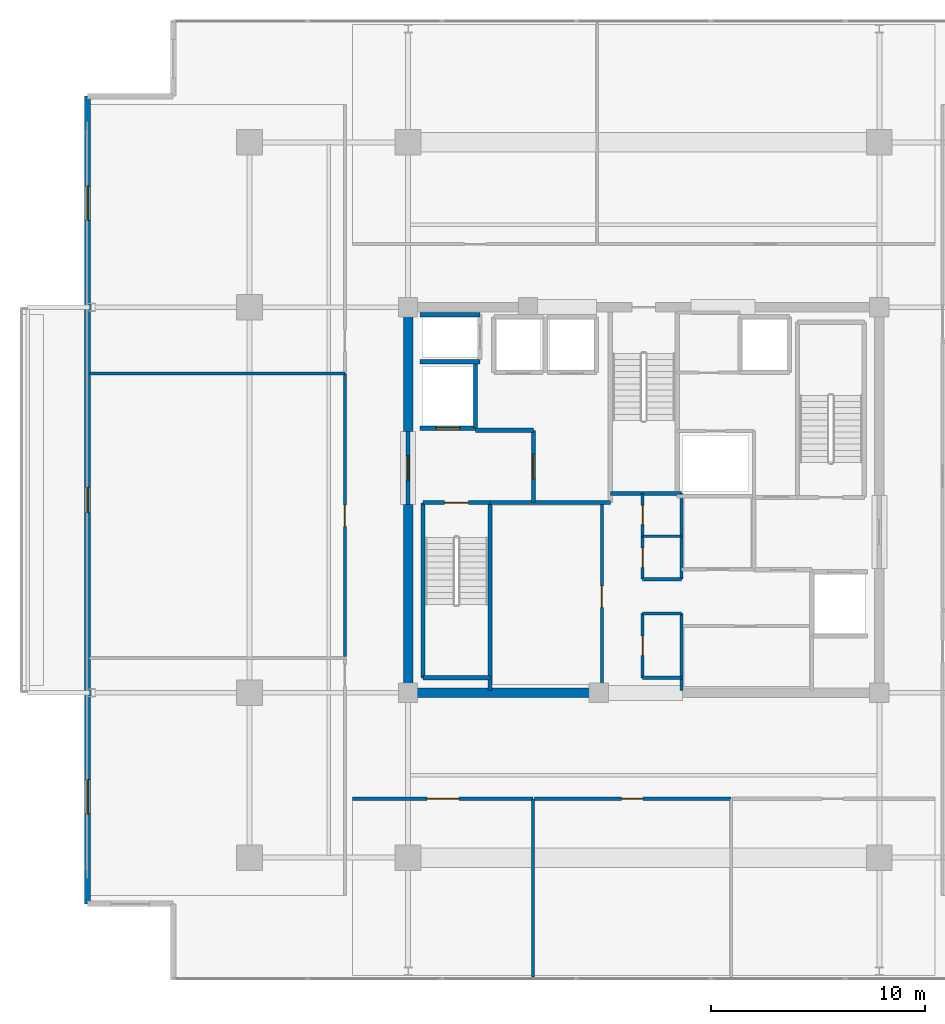
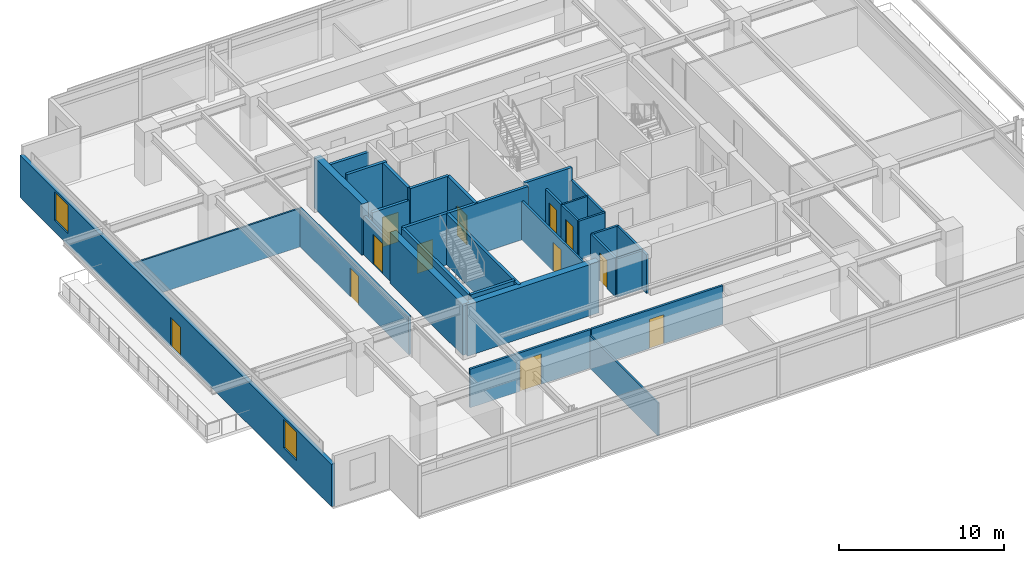
# One storey, part 14 of 21: 32 walls, 12 doors, 2 windows, 14 openings.
"""IFC4 building model written with IfcOpenShell, lengths in metres."""

from ifc_helpers import new_model, si_unit, direction, frame, frame_2d, origin, place, context, subcontext, project, spatial, rectangle, extrude, material, layer, layer_set, type_object, element, fill, save


model = new_model("IFC4")

# Units and contexts
model_context = context("Model", 3, precision=1e-05, world=origin(), true_north=direction((0.0, 1.0)))
body_context = subcontext(model_context, "Body", "Model", "MODEL_VIEW")
ifc_project = project(units=[si_unit("LENGTHUNIT", "METRE"), si_unit("AREAUNIT", "SQUARE_METRE"), si_unit("VOLUMEUNIT", "CUBIC_METRE"), si_unit("PLANEANGLEUNIT", "RADIAN"), si_unit("MASSUNIT", "GRAM", prefix="KILO")], contexts=[model_context])

# Site, building, storey
site_placement = place(None, origin())
site = spatial("IfcSite", under=ifc_project, at=site_placement, CompositionType="ELEMENT")
building_placement = place(site_placement, origin())
building = spatial("IfcBuilding", under=site, at=building_placement, Name="Kovane Verandah Tower", CompositionType="ELEMENT")
storey_placement = place(building_placement, frame((0.0, 0.0, 275.199951171875)))
storey = spatial("IfcBuildingStorey", under=building, at=storey_placement, Name="L64", CompositionType="ELEMENT", Elevation=275.199951171875)

# Walls
ifc_material_1 = material(Name="Fire-Rated Gypsum Stud Partition", Category="gypsum")
ifc_layer_1 = layer(ifc_material_1, 0.14990234375)
ifc_layer_set_1 = layer_set([ifc_layer_1], Name="Fire-Rated Gypsum Stud Partition")
wall_type_1 = type_object("IfcWallType", Name="WL-COR-150", PredefinedType="PARTITIONING", material=ifc_layer_set_1)
for number, where, z_axis, x_axis, name in (
    (1, (39.949951171875, 19.199951171875, 0.0), (0.0, 0.0, 1.0), (1.0, 0.0, 0.0), "L64 Central Core Strip South Wall"),
    (2, (39.949951171875, 22.199951171875, 0.0), (0.0, 0.0, 1.0), (1.0, 0.0, 0.0), "L64 Core Cross-Passage South Wall"),
    (3, (39.949951171875, 23.800048828125, 0.0), (0.0, 0.0, 1.0), (1.0, 0.0, 0.0), "L64 Core Cross-Passage North Wall"),
):
    element("IfcWall", number, at=place(storey_placement, frame(where, z_axis=z_axis, x_axis=x_axis)), inside=storey, type_object=wall_type_1, Name=name, PredefinedType="PARTITIONING", context=body_context, shape_type="SweptSolid", body=[
        extrude(rectangle(XDim=1.81005859375, YDim=0.14990234375, at=frame_2d((0.905029296875, 0.0))), origin(), (0.0, 0.0, 1.0), 2.85009765625),
    ])
wall_1_placement = place(storey_placement, frame((41.760009765625, 18.60009765625, 0.0), z_axis=(0.0, 0.0, 1.0), x_axis=(0.0, 1.0, 0.0)))
element("IfcWall", 4, at=wall_1_placement, inside=storey, type_object=wall_type_1, Name="L64 Central Core Strip Lower East Wall", PredefinedType="PARTITIONING", context=body_context, shape_type="SweptSolid", body=[
    extrude(rectangle(XDim=3.599853515625, YDim=0.14990234375, at=frame_2d((1.7998046875, 0.0))), origin(), (0.0, 0.0, 1.0), 2.85009765625),
])
wall_2_placement = place(storey_placement, frame((41.760009765625, 23.800048828125, 0.0), z_axis=(0.0, 0.0, 1.0), x_axis=(0.0, 1.0, 0.0)))
element("IfcWall", 5, at=wall_2_placement, inside=storey, type_object=wall_type_1, Name="L64 Central Core Strip Upper East Wall", PredefinedType="PARTITIONING", context=body_context, shape_type="SweptSolid", body=[
    extrude(rectangle(XDim=4.0, YDim=0.14990234375, at=frame_2d((2.0, 0.0))), origin(), (0.0, 0.0, 1.0), 2.85009765625),
])

# Wall, opening, door
wall_3_placement = place(storey_placement, frame((39.949951171875, 19.199951171875, 0.0), z_axis=(0.0, 0.0, 1.0), x_axis=(0.0, 1.0, 0.0)))
wall_3 = element("IfcWall", 6, at=wall_3_placement, inside=storey, type_object=wall_type_1, Name="L64 Male Toilet Partition", PredefinedType="PARTITIONING", context=body_context, shape_type="SweptSolid", body=[
    extrude(rectangle(XDim=3.0, YDim=0.14990234375, at=frame_2d((1.5, 0.0))), origin(), (0.0, 0.0, 1.0), 2.85009765625),
])
opening_1_placement = place(wall_3_placement, frame((1.050048828125, 0.0, 0.0)))
opening_1 = element("IfcOpeningElement", 7, at=opening_1_placement, cuts=wall_3, Name="Opening DR-L64-026", PredefinedType="OPENING", context=body_context, shape_type="SweptSolid", body=[
    extrude(rectangle(XDim=0.89990234375, YDim=2.10009765625, at=frame_2d((0.449951171875, 1.050048828125))), frame((0.0, 0.074951171875, 0.0), z_axis=(0.0, -1.0, 0.0), x_axis=(1.0, 0.0, 0.0)), (0.0, 0.0, 1.0), 0.14990234375),
])
ifc_material_2 = material(Name="Moisture-Resistant Laminate Washroom Door", Category="wood")
door_type_1 = type_object("IfcDoorType", Name="DR-WC-900", OperationType="SINGLE_SWING_LEFT", PredefinedType="DOOR", material=ifc_material_2)
door_1_placement = place(opening_1_placement, origin())
door_1 = element("IfcDoor", 8, at=door_1_placement, inside=storey, type_object=door_type_1, Name="L64 Male Toilet Door", OperationType="SINGLE_SWING_RIGHT", OverallHeight=2.10009765625, OverallWidth=0.89990234375, PredefinedType="DOOR", context=body_context, shape_type="SweptSolid", body=[
    extrude(rectangle(XDim=0.89990234375, YDim=2.10009765625, at=frame_2d((0.449951171875, 1.050048828125))), frame((0.0, 0.02490234375, 0.0), z_axis=(0.0, -1.0, 0.0), x_axis=(1.0, 0.0, 0.0)), (0.0, 0.0, 1.0), 0.050048828125),
])
fill(opening_1, door_1)

wall_4_placement = place(storey_placement, frame((39.949951171875, 23.800048828125, 0.0), z_axis=(0.0, 0.0, 1.0), x_axis=(0.0, 1.0, 0.0)))
wall_4 = element("IfcWall", 9, at=wall_4_placement, inside=storey, type_object=wall_type_1, Name="L64 Female Toilet Partition", PredefinedType="PARTITIONING", context=body_context, shape_type="SweptSolid", body=[
    extrude(rectangle(XDim=2.0, YDim=0.14990234375, at=frame_2d((1.0, 0.0))), origin(), (0.0, 0.0, 1.0), 2.85009765625),
])
opening_2_placement = place(wall_4_placement, frame((0.550048828125, 0.0, 0.0)))
opening_2 = element("IfcOpeningElement", 10, at=opening_2_placement, cuts=wall_4, Name="Opening DR-L64-025", PredefinedType="OPENING", context=body_context, shape_type="SweptSolid", body=[
    extrude(rectangle(XDim=0.89990234375, YDim=2.10009765625, at=frame_2d((0.449951171875, 1.050048828125))), frame((0.0, 0.074951171875, 0.0), z_axis=(0.0, -1.0, 0.0), x_axis=(1.0, 0.0, 0.0)), (0.0, 0.0, 1.0), 0.14990234375),
])
door_2_placement = place(opening_2_placement, origin())
door_2 = element("IfcDoor", 11, at=door_2_placement, inside=storey, type_object=door_type_1, Name="L64 Female Toilet Door", OperationType="SINGLE_SWING_LEFT", OverallHeight=2.10009765625, OverallWidth=0.89990234375, PredefinedType="DOOR", context=body_context, shape_type="SweptSolid", body=[
    extrude(rectangle(XDim=0.89990234375, YDim=2.10009765625, at=frame_2d((0.449951171875, 1.050048828125))), frame((0.0, 0.02490234375, 0.0), z_axis=(0.0, -1.0, 0.0), x_axis=(1.0, 0.0, 0.0)), (0.0, 0.0, 1.0), 0.050048828125),
])
fill(opening_2, door_2)

wall_5_placement = place(storey_placement, frame((39.949951171875, 25.800048828125, 0.0), z_axis=(0.0, 0.0, 1.0), x_axis=(0.0, 1.0, 0.0)))
wall_5 = element("IfcWall", 12, at=wall_5_placement, inside=storey, type_object=wall_type_1, Name="L64 Accessible Unisex Toilet Partition", PredefinedType="PARTITIONING", context=body_context, shape_type="SweptSolid", body=[
    extrude(rectangle(XDim=2.0, YDim=0.14990234375, at=frame_2d((1.0, 0.0))), origin(), (0.0, 0.0, 1.0), 2.85009765625),
])
opening_3_placement = place(wall_5_placement, frame((0.550048828125, 0.0, 0.0)))
opening_3 = element("IfcOpeningElement", 13, at=opening_3_placement, cuts=wall_5, Name="Opening DR-L64-024", PredefinedType="OPENING", context=body_context, shape_type="SweptSolid", body=[
    extrude(rectangle(XDim=0.89990234375, YDim=2.10009765625, at=frame_2d((0.449951171875, 1.050048828125))), frame((0.0, 0.074951171875, 0.0), z_axis=(0.0, -1.0, 0.0), x_axis=(1.0, 0.0, 0.0)), (0.0, 0.0, 1.0), 0.14990234375),
])
door_3_placement = place(opening_3_placement, origin())
door_3 = element("IfcDoor", 14, at=door_3_placement, inside=storey, type_object=door_type_1, Name="L64 Accessible Unisex Toilet Door", OperationType="SINGLE_SWING_RIGHT", OverallHeight=2.10009765625, OverallWidth=0.89990234375, PredefinedType="DOOR", context=body_context, shape_type="SweptSolid", body=[
    extrude(rectangle(XDim=0.89990234375, YDim=2.10009765625, at=frame_2d((0.449951171875, 1.050048828125))), frame((0.0, 0.02490234375, 0.0), z_axis=(0.0, -1.0, 0.0), x_axis=(1.0, 0.0, 0.0)), (0.0, 0.0, 1.0), 0.050048828125),
])
fill(opening_3, door_3)

wall_6_placement = place(storey_placement, frame((38.050048828125, 18.60009765625, 0.0), z_axis=(0.0, 0.0, 1.0), x_axis=(0.0, 1.0, 0.0)))
wall_6 = element("IfcWall", 15, at=wall_6_placement, inside=storey, type_object=wall_type_1, Name="L64 Tenant Wellness and Archive Suite Partition", PredefinedType="PARTITIONING", context=body_context, shape_type="SweptSolid", body=[
    extrude(rectangle(XDim=8.77978515625, YDim=0.14990234375, at=frame_2d((4.389892578125, 0.0))), origin(), (0.0, 0.0, 1.0), 2.85009765625),
])
opening_4_placement = place(wall_6_placement, frame((3.889892578125, 0.0, 0.0)))
opening_4 = element("IfcOpeningElement", 16, at=opening_4_placement, cuts=wall_6, Name="Opening DR-L64-014", PredefinedType="OPENING", context=body_context, shape_type="SweptSolid", body=[
    extrude(rectangle(XDim=1.0, YDim=2.14990234375, at=frame_2d((0.5, 1.074951171875))), frame((0.0, 0.074951171875, 0.0), z_axis=(0.0, -1.0, 0.0), x_axis=(1.0, 0.0, 0.0)), (0.0, 0.0, 1.0), 0.14990234375),
])
ifc_material_3 = material(Name="FSC Spotted-Gum Timber Fire-Rated Office Door", Category="wood")
door_type_2 = type_object("IfcDoorType", Name="DR-OFF-1000", OperationType="SINGLE_SWING_LEFT", PredefinedType="DOOR", material=ifc_material_3)
door_4_placement = place(opening_4_placement, origin())
door_4 = element("IfcDoor", 17, at=door_4_placement, inside=storey, type_object=door_type_2, Name="L64 Tenant Wellness and Archive Suite Door", OperationType="SINGLE_SWING_LEFT", OverallHeight=2.14990234375, OverallWidth=1.0, PredefinedType="DOOR", context=body_context, shape_type="SweptSolid", body=[
    extrude(rectangle(XDim=1.0, YDim=2.14990234375, at=frame_2d((0.5, 1.074951171875))), frame((0.0, 0.02490234375, 0.0), z_axis=(0.0, -1.0, 0.0), x_axis=(1.0, 0.0, 0.0)), (0.0, 0.0, 1.0), 0.050048828125),
])
fill(opening_4, door_4)

wall_7_placement = place(storey_placement, frame((26.39990234375, 13.550048828125, 0.0), z_axis=(0.0, 0.0, 1.0), x_axis=(1.0, 0.0, 0.0)))
wall_7 = element("IfcWall", 18, at=wall_7_placement, inside=storey, type_object=wall_type_1, Name="L64 Client Boardroom S1 Corridor Partition", PredefinedType="PARTITIONING", context=body_context, shape_type="SweptSolid", body=[
    extrude(rectangle(XDim=8.43212890625, YDim=0.14990234375, at=frame_2d((4.216064453125, 0.0))), origin(), (0.0, 0.0, 1.0), 2.85009765625),
])
opening_5_placement = place(wall_7_placement, frame((3.48095703125, 0.0, 0.0)))
opening_5 = element("IfcOpeningElement", 19, at=opening_5_placement, cuts=wall_7, Name="Opening DR-L64-021", PredefinedType="OPENING", context=body_context, shape_type="SweptSolid", body=[
    extrude(rectangle(XDim=1.5, YDim=2.25, at=frame_2d((0.75, 1.125))), frame((0.0, 0.074951171875, 0.0), z_axis=(0.0, -1.0, 0.0), x_axis=(1.0, 0.0, 0.0)), (0.0, 0.0, 1.0), 0.14990234375),
])
ifc_material_4 = material(Name="Glazed Timber Fire-Rated Double Door", Category="wood")
door_type_3 = type_object("IfcDoorType", Name="DR-CONF-1500", OperationType="DOUBLE_DOOR_SINGLE_SWING", PredefinedType="DOOR", material=ifc_material_4)
door_5_placement = place(opening_5_placement, origin())
door_5 = element("IfcDoor", 20, at=door_5_placement, inside=storey, type_object=door_type_3, Name="L64 Client Boardroom S1 Entrance Door", OperationType="DOUBLE_DOOR_SINGLE_SWING", OverallHeight=2.25, OverallWidth=1.5, PredefinedType="DOOR", context=body_context, shape_type="SweptSolid", body=[
    extrude(rectangle(XDim=1.5, YDim=2.25, at=frame_2d((0.75, 1.125))), frame((0.0, 0.02490234375, 0.0), z_axis=(0.0, -1.0, 0.0), x_axis=(1.0, 0.0, 0.0)), (0.0, 0.0, 1.0), 0.050048828125),
])
fill(opening_5, door_5)

wall_8_placement = place(storey_placement, frame((34.902099609375, 13.550048828125, 0.0), z_axis=(0.0, 0.0, 1.0), x_axis=(1.0, 0.0, 0.0)))
wall_8 = element("IfcWall", 21, at=wall_8_placement, inside=storey, type_object=wall_type_1, Name="L64 Meeting Room S2 Corridor Partition", PredefinedType="PARTITIONING", context=body_context, shape_type="SweptSolid", body=[
    extrude(rectangle(XDim=9.177978515625, YDim=0.14990234375, at=frame_2d((4.5888671875, 0.0))), origin(), (0.0, 0.0, 1.0), 2.85009765625),
])
opening_6_placement = place(wall_8_placement, frame((4.053955078125, 0.0, 0.0)))
opening_6 = element("IfcOpeningElement", 22, at=opening_6_placement, cuts=wall_8, Name="Opening DR-L64-022", PredefinedType="OPENING", context=body_context, shape_type="SweptSolid", body=[
    extrude(rectangle(XDim=1.0, YDim=2.14990234375, at=frame_2d((0.5, 1.074951171875))), frame((0.0, 0.074951171875, 0.0), z_axis=(0.0, -1.0, 0.0), x_axis=(1.0, 0.0, 0.0)), (0.0, 0.0, 1.0), 0.14990234375),
])
door_6_placement = place(opening_6_placement, origin())
door_6 = element("IfcDoor", 23, at=door_6_placement, inside=storey, type_object=door_type_2, Name="L64 Meeting Room S2 Entrance Door", OperationType="SINGLE_SWING_LEFT", OverallHeight=2.14990234375, OverallWidth=1.0, PredefinedType="DOOR", context=body_context, shape_type="SweptSolid", body=[
    extrude(rectangle(XDim=1.0, YDim=2.14990234375, at=frame_2d((0.5, 1.074951171875))), frame((0.0, 0.02490234375, 0.0), z_axis=(0.0, -1.0, 0.0), x_axis=(1.0, 0.0, 0.0)), (0.0, 0.0, 1.0), 0.050048828125),
])
fill(opening_6, door_6)

wall_9_placement = place(storey_placement, frame((26.050048828125, 20.18603515625, 0.0), z_axis=(0.0, 0.0, 1.0), x_axis=(0.0, 1.0, 0.0)))
wall_9 = element("IfcWall", 24, at=wall_9_placement, inside=storey, type_object=wall_type_1, Name="L64 Collaboration Hub W2 Corridor Partition", PredefinedType="PARTITIONING", context=body_context, shape_type="SweptSolid", body=[
    extrude(rectangle(XDim=13.22119140625, YDim=0.14990234375, at=frame_2d((6.610595703125, 0.0))), origin(), (0.0, 0.0, 1.0), 2.85009765625),
])
opening_7_placement = place(wall_9_placement, frame((6.07568359375, 0.0, 0.0)))
opening_7 = element("IfcOpeningElement", 25, at=opening_7_placement, cuts=wall_9, Name="Opening DR-L64-028", PredefinedType="OPENING", context=body_context, shape_type="SweptSolid", body=[
    extrude(rectangle(XDim=1.0, YDim=2.14990234375, at=frame_2d((0.5, 1.074951171875))), frame((0.0, 0.074951171875, 0.0), z_axis=(0.0, -1.0, 0.0), x_axis=(1.0, 0.0, 0.0)), (0.0, 0.0, 1.0), 0.14990234375),
])
door_7_placement = place(opening_7_placement, origin())
door_7 = element("IfcDoor", 26, at=door_7_placement, inside=storey, type_object=door_type_2, Name="L64 Collaboration Hub W2 Entrance Door", OperationType="SINGLE_SWING_RIGHT", OverallHeight=2.14990234375, OverallWidth=1.0, PredefinedType="DOOR", context=body_context, shape_type="SweptSolid", body=[
    extrude(rectangle(XDim=1.0, YDim=2.14990234375, at=frame_2d((0.5, 1.074951171875))), frame((0.0, 0.02490234375, 0.0), z_axis=(0.0, -1.0, 0.0), x_axis=(1.0, 0.0, 0.0)), (0.0, 0.0, 1.0), 0.050048828125),
])
fill(opening_7, door_7)

# Walls
ifc_material_5 = material(Name="Concrete C60/75", Category="concrete")
ifc_layer_2 = layer(ifc_material_5, 0.449951171875)
ifc_layer_set_2 = layer_set([ifc_layer_2], Name="Concrete C60/75")
wall_type_2 = type_object("IfcWallType", Name="WL-CORE-450", PredefinedType="SHEAR", material=ifc_layer_set_2)
wall_10_placement = place(storey_placement, frame((29.0, 18.5, 0.0), z_axis=(0.0, 0.0, 1.0), x_axis=(1.0, 0.0, 0.0)))
element("IfcWall", 27, at=wall_10_placement, inside=storey, type_object=wall_type_2, Name="L64 Core Shear Wall CS-1", PredefinedType="SHEAR", context=body_context, shape_type="SweptSolid", body=[
    extrude(rectangle(XDim=9.199951171875, YDim=0.449951171875, at=frame_2d((4.60009765625, 0.0))), origin(), (0.0, 0.0, 1.0), 3.78515625),
])
wall_11_placement = place(storey_placement, frame((29.0, 18.5, 0.0), z_axis=(0.0, 0.0, 1.0), x_axis=(0.0, 1.0, 0.0)))
element("IfcWall", 28, at=wall_11_placement, inside=storey, type_object=wall_type_2, Name="L64 Core Shear Wall CW-1", PredefinedType="SHEAR", context=body_context, shape_type="SweptSolid", body=[
    extrude(rectangle(XDim=8.800048828125, YDim=0.449951171875, at=frame_2d((4.39990234375, 0.0))), origin(), (0.0, 0.0, 1.0), 3.78515625),
])
wall_12_placement = place(storey_placement, frame((29.0, 30.699951171875, 0.0), z_axis=(0.0, 0.0, 1.0), x_axis=(0.0, 1.0, 0.0)))
element("IfcWall", 29, at=wall_12_placement, inside=storey, type_object=wall_type_2, Name="L64 Core Shear Wall CW-2", PredefinedType="SHEAR", context=body_context, shape_type="SweptSolid", body=[
    extrude(rectangle(XDim=5.800048828125, YDim=0.449951171875, at=frame_2d((2.89990234375, 0.0))), origin(), (0.0, 0.0, 1.0), 3.78515625),
])

# Wall, opening, door
ifc_material_6 = material(Name="Concrete C45/55 Fire Wall", Category="concrete")
ifc_layer_3 = layer(ifc_material_6, 0.199951171875)
ifc_layer_set_3 = layer_set([ifc_layer_3], Name="Concrete C45/55 Fire Wall")
wall_type_3 = type_object("IfcWallType", Name="WL-FFL-200", PredefinedType="PARTITIONING", material=ifc_layer_set_3)
wall_13_placement = place(storey_placement, frame((34.85009765625, 27.3798828125, 0.0), z_axis=(0.0, 0.0, 1.0), x_axis=(0.0, 1.0, 0.0)))
wall_13 = element("IfcWall", 30, at=wall_13_placement, inside=storey, type_object=wall_type_3, Name="W-L64-FFLW-E", PredefinedType="PARTITIONING", context=body_context, shape_type="SweptSolid", body=[
    extrude(rectangle(XDim=3.3701171875, YDim=0.199951171875, at=frame_2d((1.68505859375, 0.0))), origin(), (0.0, 0.0, 1.0), 3.78515625),
])
opening_8_placement = place(wall_13_placement, frame((1.110107421875, 0.0, 0.0)))
opening_8 = element("IfcOpeningElement", 31, at=opening_8_placement, cuts=wall_13, Name="Opening DR-L64-006", PredefinedType="OPENING", context=body_context, shape_type="SweptSolid", body=[
    extrude(rectangle(XDim=1.14990234375, YDim=2.199951171875, at=frame_2d((0.574951171875, 1.10009765625))), frame((0.0, 0.10009765625, 0.0), z_axis=(0.0, -1.0, 0.0), x_axis=(1.0, 0.0, 0.0)), (0.0, 0.0, 1.0), 0.199951171875),
])
ifc_material_7 = material(Name="Smoke-Sealed Firefighting Lobby Door", Category="steel")
door_type_4 = type_object("IfcDoorType", Name="DR-FFL-1150", OperationType="SINGLE_SWING_LEFT", PredefinedType="DOOR", material=ifc_material_7)
door_8_placement = place(opening_8_placement, origin())
door_8 = element("IfcDoor", 32, at=door_8_placement, inside=storey, type_object=door_type_4, Name="L64 West Firefighting Lobby Inner Door", OperationType="SINGLE_SWING_LEFT", OverallHeight=2.199951171875, OverallWidth=1.14990234375, PredefinedType="DOOR", context=body_context, shape_type="SweptSolid", body=[
    extrude(rectangle(XDim=1.14990234375, YDim=2.199951171875, at=frame_2d((0.574951171875, 1.10009765625))), frame((0.0, 0.02490234375, 0.0), z_axis=(0.0, -1.0, 0.0), x_axis=(1.0, 0.0, 0.0)), (0.0, 0.0, 1.0), 0.050048828125),
])
fill(opening_8, door_8)

wall_14_placement = place(storey_placement, frame((29.0, 27.300048828125, 0.0), z_axis=(0.0, 0.0, 1.0), x_axis=(0.0, 1.0, 0.0)))
wall_14 = element("IfcWall", 33, at=wall_14_placement, inside=storey, type_object=wall_type_3, Name="W-L64-FFLW-OUT", PredefinedType="PARTITIONING", context=body_context, shape_type="SweptSolid", body=[
    extrude(rectangle(XDim=3.39990234375, YDim=0.199951171875, at=frame_2d((1.699951171875, 0.0))), origin(), (0.0, 0.0, 1.0), 2.864990234375),
])
opening_9_placement = place(wall_14_placement, frame((1.125, 0.0, 0.0)))
opening_9 = element("IfcOpeningElement", 34, at=opening_9_placement, cuts=wall_14, Name="Opening DR-L64-007", PredefinedType="OPENING", context=body_context, shape_type="SweptSolid", body=[
    extrude(rectangle(XDim=1.14990234375, YDim=2.199951171875, at=frame_2d((0.574951171875, 1.10009765625))), frame((0.0, 0.10009765625, 0.0), z_axis=(0.0, -1.0, 0.0), x_axis=(1.0, 0.0, 0.0)), (0.0, 0.0, 1.0), 0.199951171875),
])
door_9_placement = place(opening_9_placement, origin())
door_9 = element("IfcDoor", 35, at=door_9_placement, inside=storey, type_object=door_type_4, Name="L64 West Firefighting Lobby Corridor Door", OperationType="SINGLE_SWING_RIGHT", OverallHeight=2.199951171875, OverallWidth=1.14990234375, PredefinedType="DOOR", context=body_context, shape_type="SweptSolid", body=[
    extrude(rectangle(XDim=1.14990234375, YDim=2.199951171875, at=frame_2d((0.574951171875, 1.10009765625))), frame((0.0, 0.02490234375, 0.0), z_axis=(0.0, -1.0, 0.0), x_axis=(1.0, 0.0, 0.0)), (0.0, 0.0, 1.0), 0.050048828125),
])
fill(opening_9, door_9)

# Walls
wall_15_placement = place(storey_placement, frame((32.820068359375, 27.3798828125, 0.0), z_axis=(0.0, 0.0, 1.0), x_axis=(1.0, 0.0, 0.0)))
element("IfcWall", 36, at=wall_15_placement, inside=storey, type_object=wall_type_3, Name="L64 West Firefighting Lobby South Fire Wall", PredefinedType="PARTITIONING", context=body_context, shape_type="SweptSolid", body=[
    extrude(rectangle(XDim=5.619873046875, YDim=0.199951171875, at=frame_2d((2.81005859375, 0.0))), origin(), (0.0, 0.0, 1.0), 3.78515625),
])
wall_16_placement = place(storey_placement, frame((32.14990234375, 30.75, 0.0), z_axis=(0.0, 0.0, 1.0), x_axis=(1.0, 0.0, 0.0)))
element("IfcWall", 37, at=wall_16_placement, inside=storey, type_object=wall_type_3, Name="L64 West Firefighting Lobby North Fire Wall", PredefinedType="PARTITIONING", context=body_context, shape_type="SweptSolid", body=[
    extrude(rectangle(XDim=2.7001953125, YDim=0.199951171875, at=frame_2d((1.35009765625, 0.0))), origin(), (0.0, 0.0, 1.0), 3.78515625),
])

# Wall, opening, door
ifc_material_8 = material(Name="Concrete C45/55 Lift Shaft Wall", Category="concrete")
ifc_layer_4 = layer(ifc_material_8, 0.199951171875)
ifc_layer_set_4 = layer_set([ifc_layer_4], Name="Concrete C45/55 Lift Shaft Wall")
wall_type_4 = type_object("IfcWallType", Name="WL-LIFT-200", PredefinedType="SOLIDWALL", material=ifc_layer_set_4)
wall_17_placement = place(storey_placement, frame((29.550048828125, 30.85009765625, 0.0), z_axis=(0.0, 0.0, 1.0), x_axis=(1.0, 0.0, 0.0)))
wall_17 = element("IfcWall", 38, at=wall_17_placement, inside=storey, type_object=wall_type_4, Name="L64 Lift FL-01 S Shaft Wall", PredefinedType="SOLIDWALL", context=body_context, shape_type="SweptSolid", body=[
    extrude(rectangle(XDim=2.599853515625, YDim=0.199951171875, at=frame_2d((1.2998046875, 0.0))), origin(), (0.0, 0.0, 1.0), 2.864990234375),
])
opening_10_placement = place(wall_17_placement, frame((0.75, 0.0, 0.0)))
opening_10 = element("IfcOpeningElement", 39, at=opening_10_placement, cuts=wall_17, Name="Opening LD-L64-001", PredefinedType="OPENING", context=body_context, shape_type="SweptSolid", body=[
    extrude(rectangle(XDim=1.10009765625, YDim=2.199951171875, at=frame_2d((0.550048828125, 1.10009765625))), frame((0.0, 0.10009765625, 0.0), z_axis=(0.0, -1.0, 0.0), x_axis=(1.0, 0.0, 0.0)), (0.0, 0.0, 1.0), 0.199951171875),
])
ifc_material_9 = material(Name="Brushed Stainless Steel Sliding Lift Landing Door", Category="steel")
door_type_5 = type_object("IfcDoorType", Name="DR-LIFT-1100", OperationType="SLIDING_TO_RIGHT", PredefinedType="DOOR", material=ifc_material_9)
door_10_placement = place(opening_10_placement, origin())
door_10 = element("IfcDoor", 40, at=door_10_placement, inside=storey, type_object=door_type_5, Name="L64 Lift FL-01 Sliding Landing Door", OperationType="SLIDING_TO_RIGHT", OverallHeight=2.199951171875, OverallWidth=1.10009765625, PredefinedType="DOOR", context=body_context, shape_type="SweptSolid", body=[
    extrude(rectangle(XDim=1.10009765625, YDim=2.199951171875, at=frame_2d((0.550048828125, 1.10009765625))), frame((0.0, 0.02490234375, 0.0), z_axis=(0.0, -1.0, 0.0), x_axis=(1.0, 0.0, 0.0)), (0.0, 0.0, 1.0), 0.050048828125),
])
fill(opening_10, door_10)

# Walls
wall_18_placement = place(storey_placement, frame((29.550048828125, 33.949951171875, 0.0), z_axis=(0.0, 0.0, 1.0), x_axis=(1.0, 0.0, 0.0)))
element("IfcWall", 41, at=wall_18_placement, inside=storey, type_object=wall_type_4, Name="L64 Lift FL-01 and GL-01 Shared Shaft Wall", PredefinedType="SOLIDWALL", context=body_context, shape_type="SweptSolid", body=[
    extrude(rectangle(XDim=2.800048828125, YDim=0.199951171875, at=frame_2d((1.39990234375, 0.0))), origin(), (0.0, 0.0, 1.0), 3.78515625),
])
wall_19_placement = place(storey_placement, frame((32.14990234375, 30.85009765625, 0.0), z_axis=(0.0, 0.0, 1.0), x_axis=(0.0, 1.0, 0.0)))
element("IfcWall", 42, at=wall_19_placement, inside=storey, type_object=wall_type_4, Name="L64 Lift FL-01 E Shaft Wall", PredefinedType="SOLIDWALL", context=body_context, shape_type="SweptSolid", body=[
    extrude(rectangle(XDim=3.0, YDim=0.199951171875, at=frame_2d((1.5, 0.0))), origin(), (0.0, 0.0, 1.0), 3.78515625),
])
wall_20_placement = place(storey_placement, frame((32.35009765625, 36.14990234375, 0.0), z_axis=(0.0, 0.0, 1.0), x_axis=(-1.0, 0.0, 0.0)))
element("IfcWall", 43, at=wall_20_placement, inside=storey, type_object=wall_type_4, Name="L64 Lift GL-01 N Shaft Wall", PredefinedType="SOLIDWALL", context=body_context, shape_type="SweptSolid", body=[
    extrude(rectangle(XDim=2.800048828125, YDim=0.199951171875, at=frame_2d((1.39990234375, 0.0))), origin(), (0.0, 0.0, 1.0), 3.14794921875),
])
ifc_material_10 = material(Name="Acoustic Fire-Rated Gypsum Partition", Category="gypsum")
ifc_layer_5 = layer(ifc_material_10, 0.1201171875)
ifc_layer_set_5 = layer_set([ifc_layer_5], Name="Acoustic Fire-Rated Gypsum Partition")
wall_type_5 = type_object("IfcWallType", Name="WL-PART-120", PredefinedType="PARTITIONING", material=ifc_layer_set_5)
wall_21_placement = place(storey_placement, frame((39.949951171875, 25.800048828125, 0.0), z_axis=(0.0, 0.0, 1.0), x_axis=(1.0, 0.0, 0.0)))
element("IfcWall", 44, at=wall_21_placement, inside=storey, type_object=wall_type_5, Name="L64 Central Core Strip Upper Dividing Partition", PredefinedType="PARTITIONING", context=body_context, shape_type="SweptSolid", body=[
    extrude(rectangle(XDim=1.81005859375, YDim=0.1201171875, at=frame_2d((0.905029296875, 0.0))), origin(), (0.0, 0.0, 1.0), 2.85009765625),
])
wall_22_placement = place(storey_placement, frame((34.83203125, 5.239990234375, 0.0), z_axis=(0.0, 0.0, 1.0), x_axis=(0.0, 1.0, 0.0)))
element("IfcWall", 45, at=wall_22_placement, inside=storey, type_object=wall_type_5, Name="L64 Client Boardroom S1 Dividing Partition", PredefinedType="PARTITIONING", context=body_context, shape_type="SweptSolid", body=[
    extrude(rectangle(XDim=8.31005859375, YDim=0.1201171875, at=frame_2d((4.155029296875, 0.0))), origin(), (0.0, 0.0, 1.0), 2.4150390625),
])
wall_23_placement = place(storey_placement, frame((14.130615234375, 33.4072265625, 0.0), z_axis=(0.0, 0.0, 1.0), x_axis=(1.0, 0.0, 0.0)))
element("IfcWall", 46, at=wall_23_placement, inside=storey, type_object=wall_type_5, Name="L64 Collaboration Hub W2 Dividing Partition", PredefinedType="PARTITIONING", context=body_context, shape_type="SweptSolid", body=[
    extrude(rectangle(XDim=11.91943359375, YDim=0.1201171875, at=frame_2d((5.959716796875, 0.0))), origin(), (0.0, 0.0, 1.0), 2.85009765625),
])
ifc_material_11 = material(Name="Concrete C45/55", Category="concrete")
ifc_layer_6 = layer(ifc_material_11, 0.199951171875)
ifc_layer_set_6 = layer_set([ifc_layer_6], Name="Concrete C45/55")
wall_type_6 = type_object("IfcWallType", Name="WL-SHAFT-200", PredefinedType="SOLIDWALL", material=ifc_layer_set_6)
wall_24_placement = place(storey_placement, frame((29.699951171875, 19.199951171875, 0.0), z_axis=(0.0, 0.0, 1.0), x_axis=(0.0, 1.0, 0.0)))
element("IfcWall", 47, at=wall_24_placement, inside=storey, type_object=wall_type_6, Name="W-L64-ST01-W", PredefinedType="SOLIDWALL", context=body_context, shape_type="SweptSolid", body=[
    extrude(rectangle(XDim=8.150146484375, YDim=0.199951171875, at=frame_2d((4.0751953125, 0.0))), origin(), (0.0, 0.0, 1.0), 3.78515625),
])
wall_25_placement = place(storey_placement, frame((29.699951171875, 19.199951171875, 0.0), z_axis=(0.0, 0.0, 1.0), x_axis=(1.0, 0.0, 0.0)))
element("IfcWall", 48, at=wall_25_placement, inside=storey, type_object=wall_type_6, Name="W-L64-ST01-S", PredefinedType="SOLIDWALL", context=body_context, shape_type="SweptSolid", body=[
    extrude(rectangle(XDim=3.1201171875, YDim=0.199951171875, at=frame_2d((1.56005859375, 0.0))), origin(), (0.0, 0.0, 1.0), 3.78515625),
])
wall_26_placement = place(storey_placement, frame((32.820068359375, 18.60009765625, 0.0), z_axis=(0.0, 0.0, 1.0), x_axis=(0.0, 1.0, 0.0)))
element("IfcWall", 49, at=wall_26_placement, inside=storey, type_object=wall_type_6, Name="W-L64-ST01-E", PredefinedType="SOLIDWALL", context=body_context, shape_type="SweptSolid", body=[
    extrude(rectangle(XDim=8.77978515625, YDim=0.199951171875, at=frame_2d((4.389892578125, 0.0))), origin(), (0.0, 0.0, 1.0), 3.78515625),
])

# Wall, opening, door
wall_27_placement = place(storey_placement, frame((29.699951171875, 27.3798828125, 0.0), z_axis=(0.0, 0.0, 1.0), x_axis=(1.0, 0.0, 0.0)))
wall_27 = element("IfcWall", 50, at=wall_27_placement, inside=storey, type_object=wall_type_6, Name="W-L64-ST01-N", PredefinedType="SOLIDWALL", context=body_context, shape_type="SweptSolid", body=[
    extrude(rectangle(XDim=3.1201171875, YDim=0.199951171875, at=frame_2d((1.56005859375, 0.0))), origin(), (0.0, 0.0, 1.0), 3.78515625),
])
opening_11_placement = place(wall_27_placement, frame((1.010009765625, 0.0, 0.0)))
opening_11 = element("IfcOpeningElement", 51, at=opening_11_placement, cuts=wall_27, Name="Opening DR-L64-008", PredefinedType="OPENING", context=body_context, shape_type="SweptSolid", body=[
    extrude(rectangle(XDim=1.10009765625, YDim=2.14990234375, at=frame_2d((0.550048828125, 1.074951171875))), frame((0.0, 0.10009765625, 0.0), z_axis=(0.0, -1.0, 0.0), x_axis=(1.0, 0.0, 0.0)), (0.0, 0.0, 1.0), 0.199951171875),
])
ifc_material_12 = material(Name="Fire-Rated Steel Exit Door", Category="steel")
door_type_6 = type_object("IfcDoorType", Name="DR-STAIR-1100", OperationType="SINGLE_SWING_LEFT", PredefinedType="DOOR", material=ifc_material_12)
door_11_placement = place(opening_11_placement, origin())
door_11 = element("IfcDoor", 52, at=door_11_placement, inside=storey, type_object=door_type_6, Name="L64 ST-01 Fire Exit Stair Door", OperationType="SINGLE_SWING_LEFT", OverallHeight=2.14990234375, OverallWidth=1.10009765625, PredefinedType="DOOR", context=body_context, shape_type="SweptSolid", body=[
    extrude(rectangle(XDim=1.10009765625, YDim=2.14990234375, at=frame_2d((0.550048828125, 1.074951171875))), frame((0.0, 0.02490234375, 0.0), z_axis=(0.0, -1.0, 0.0), x_axis=(1.0, 0.0, 0.0)), (0.0, 0.0, 1.0), 0.050048828125),
])
fill(opening_11, door_11)

# Wall
wall_28_placement = place(storey_placement, frame((38.43994140625, 27.800048828125, 0.0), z_axis=(0.0, 0.0, 1.0), x_axis=(1.0, 0.0, 0.0)))
element("IfcWall", 53, at=wall_28_placement, inside=storey, type_object=wall_type_6, Name="W-L64-ST03-S", PredefinedType="SOLIDWALL", context=body_context, shape_type="SweptSolid", body=[
    extrude(rectangle(XDim=3.320068359375, YDim=0.199951171875, at=frame_2d((1.66015625, 0.0))), origin(), (0.0, 0.0, 1.0), 3.78515625),
])

# Wall, openings, door, windows
ifc_material_13 = material(Name="Concrete C45/55 Insulated Spandrel Wall", Category="concrete")
ifc_layer_7 = layer(ifc_material_13, 0.260009765625)
ifc_layer_set_7 = layer_set([ifc_layer_7], Name="Concrete C45/55 Insulated Spandrel Wall")
wall_type_7 = type_object("IfcWallType", Name="WL-SPANDREL-260", PredefinedType="PARAPET", material=ifc_layer_set_7)
wall_29_placement = place(storey_placement, frame((14.03076171875, 46.360107421875, 0.0), z_axis=(0.0, 0.0, 1.0), x_axis=(0.0, -1.0, 0.0)))
wall_29 = element("IfcWall", 54, at=wall_29_placement, inside=storey, type_object=wall_type_7, Name="L64 W Verandah Access Facade Wall", PredefinedType="PARAPET", context=body_context, shape_type="SweptSolid", body=[
    extrude(rectangle(XDim=37.72021484375, YDim=0.260009765625, at=frame_2d((18.860107421875, 0.0))), origin(), (0.0, 0.0, 1.0), 3.122802734375),
])
opening_12_placement = place(wall_29_placement, frame((4.199951171875, 0.0, 0.85009765625)))
opening_12 = element("IfcOpeningElement", 55, at=opening_12_placement, cuts=wall_29, Name="Opening W-02", PredefinedType="OPENING", context=body_context, shape_type="SweptSolid", body=[
    extrude(rectangle(XDim=1.60009765625, YDim=2.10009765625, at=frame_2d((0.800048828125, 1.050048828125))), frame((0.0, 0.1298828125, 0.0), z_axis=(0.0, -1.0, 0.0), x_axis=(1.0, 0.0, 0.0)), (0.0, 0.0, 1.0), 0.260009765625),
])
opening_13_placement = place(wall_29_placement, frame((18.260009765625, 0.0, 0.0)))
opening_13 = element("IfcOpeningElement", 56, at=opening_13_placement, cuts=wall_29, Name="Opening DR-L64-002", PredefinedType="OPENING", context=body_context, shape_type="SweptSolid", body=[
    extrude(rectangle(XDim=1.199951171875, YDim=2.199951171875, at=frame_2d((0.60009765625, 1.10009765625))), frame((0.0, 0.1298828125, 0.0), z_axis=(0.0, -1.0, 0.0), x_axis=(1.0, 0.0, 0.0)), (0.0, 0.0, 1.0), 0.260009765625),
])
opening_14_placement = place(wall_29_placement, frame((31.920166015625, 0.0, 0.85009765625)))
opening_14 = element("IfcOpeningElement", 57, at=opening_14_placement, cuts=wall_29, Name="Opening W-02", PredefinedType="OPENING", context=body_context, shape_type="SweptSolid", body=[
    extrude(rectangle(XDim=1.60009765625, YDim=2.10009765625, at=frame_2d((0.800048828125, 1.050048828125))), frame((0.0, 0.1298828125, 0.0), z_axis=(0.0, -1.0, 0.0), x_axis=(1.0, 0.0, 0.0)), (0.0, 0.0, 1.0), 0.260009765625),
])
ifc_material_14 = material(Name="Cyclone-Rated Glazed Balcony Leaf Door", Category="aluminium")
door_type_7 = type_object("IfcDoorType", Name="DR-BAL-1200x2200", OperationType="SINGLE_SWING_LEFT", PredefinedType="DOOR", material=ifc_material_14)
door_12_placement = place(opening_13_placement, origin())
door_12 = element("IfcDoor", 58, at=door_12_placement, inside=storey, type_object=door_type_7, Name="L64 W Planted Balcony Access Door", OperationType="SINGLE_SWING_LEFT", OverallHeight=2.199951171875, OverallWidth=1.199951171875, PredefinedType="DOOR", context=body_context, shape_type="SweptSolid", body=[
    extrude(rectangle(XDim=1.199951171875, YDim=2.199951171875, at=frame_2d((0.60009765625, 1.10009765625))), frame((0.0, 0.02490234375, 0.0), z_axis=(0.0, -1.0, 0.0), x_axis=(1.0, 0.0, 0.0)), (0.0, 0.0, 1.0), 0.050048828125),
])
fill(opening_13, door_12)
ifc_material_15 = material(Name="Clear Low-E Laminated Double Glazing in Anodised Frame", Category="glass")
window_type = type_object("IfcWindowType", Name="WN-OPER-1600x2100", PartitioningType="SINGLE_PANEL", PredefinedType="WINDOW", material=ifc_material_15)
window_1_placement = place(opening_12_placement, origin())
window_1 = element("IfcWindow", 59, at=window_1_placement, inside=storey, type_object=window_type, Name="L64 W Verandah View Window 1", OverallHeight=2.10009765625, OverallWidth=1.60009765625, PartitioningType="SINGLE_PANEL", PredefinedType="WINDOW", context=body_context, shape_type="SweptSolid", body=[
    extrude(rectangle(XDim=1.60009765625, YDim=2.10009765625, at=frame_2d((0.800048828125, 1.050048828125))), frame((0.0, 0.030029296875, 0.0), z_axis=(0.0, -1.0, 0.0), x_axis=(1.0, 0.0, 0.0)), (0.0, 0.0, 1.0), 0.06005859375),
])
fill(opening_12, window_1)
window_2_placement = place(opening_14_placement, origin())
window_2 = element("IfcWindow", 60, at=window_2_placement, inside=storey, type_object=window_type, Name="L64 W Verandah View Window 2", OverallHeight=2.10009765625, OverallWidth=1.60009765625, PartitioningType="SINGLE_PANEL", PredefinedType="WINDOW", context=body_context, shape_type="SweptSolid", body=[
    extrude(rectangle(XDim=1.60009765625, YDim=2.10009765625, at=frame_2d((0.800048828125, 1.050048828125))), frame((0.0, 0.030029296875, 0.0), z_axis=(0.0, -1.0, 0.0), x_axis=(1.0, 0.0, 0.0)), (0.0, 0.0, 1.0), 0.06005859375),
])
fill(opening_14, window_2)

save(model, "model.ifc")
